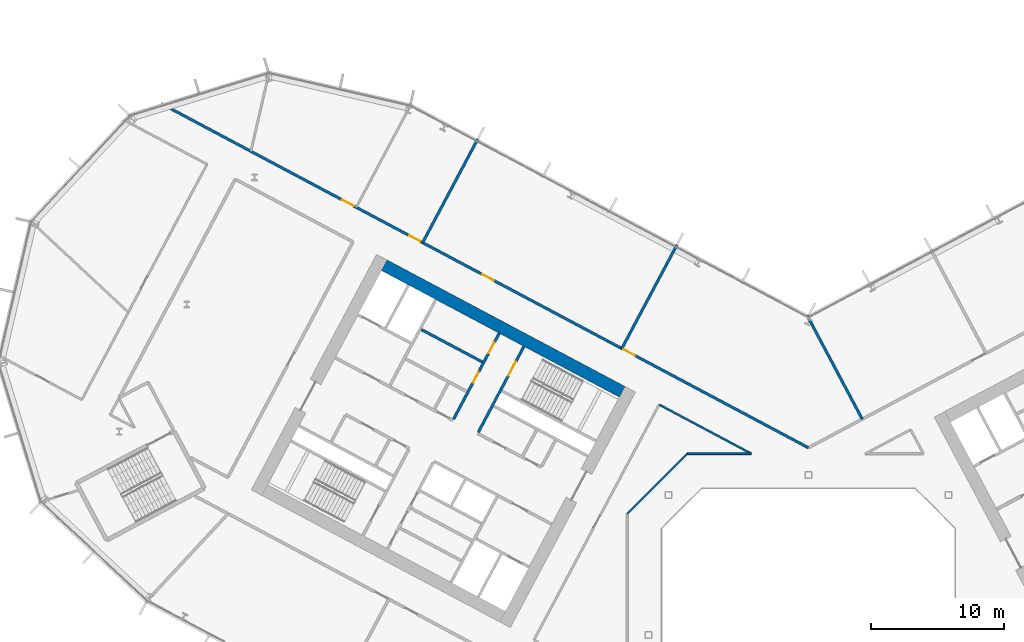
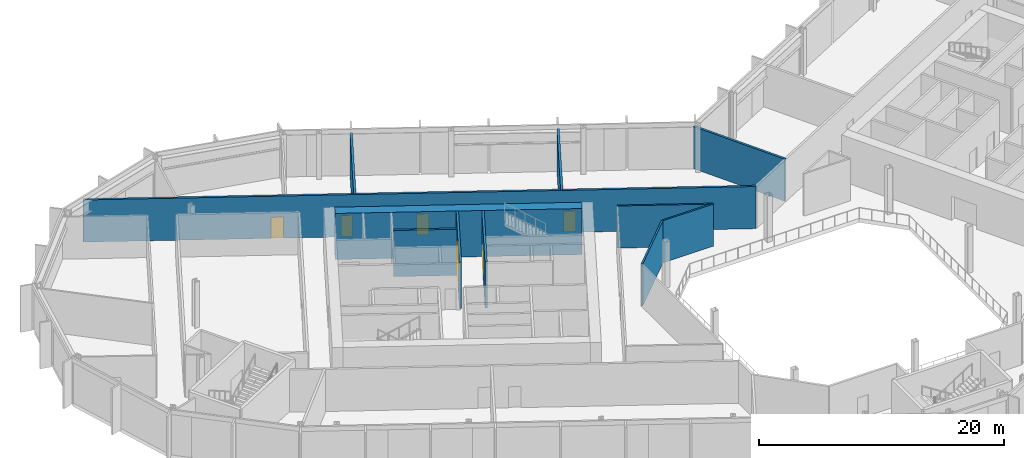
# One storey, part 15 of 32: 11 walls, 7 doors, 7 openings.
"""IFC4 building model written with IfcOpenShell, lengths in metres."""

from ifc_helpers import new_model, si_unit, direction, frame, frame_2d, origin, place, context, subcontext, project, spatial, rectangle, extrude, material, layer, layer_set, type_object, element, fill, save


model = new_model("IFC4")

# Units and contexts
model_context = context("Model", 3, precision=1e-05, world=origin(), true_north=direction((0.0, 1.0)))
body_context = subcontext(model_context, "Body", "Model", "MODEL_VIEW")
ifc_project = project(units=[si_unit("LENGTHUNIT", "METRE"), si_unit("AREAUNIT", "SQUARE_METRE"), si_unit("VOLUMEUNIT", "CUBIC_METRE"), si_unit("PLANEANGLEUNIT", "RADIAN"), si_unit("MASSUNIT", "GRAM", prefix="KILO")], contexts=[model_context])

# Site, building, storey
site_placement = place(None, origin())
site = spatial("IfcSite", under=ifc_project, at=site_placement, CompositionType="ELEMENT")
building_placement = place(site_placement, origin())
building = spatial("IfcBuilding", under=site, at=building_placement, Name="Cormorant Relay Tower", CompositionType="ELEMENT")
storey_placement = place(building_placement, frame((0.0, 0.0, 70.800048828125)))
storey = spatial("IfcBuildingStorey", under=building, at=storey_placement, Name="L13", CompositionType="ELEMENT", Elevation=70.800048828125)

# Wall
ifc_material_1 = material(Name="Concrete 40 MPa", Category="concrete")
ifc_layer_1 = layer(ifc_material_1, 0.199951171875)
ifc_layer_set_1 = layer_set([ifc_layer_1], Name="Core internal wall 200")
wall_type_1 = type_object("IfcWallType", Name="Core internal wall 200", PredefinedType="SOLIDWALL", material=ifc_layer_set_1)
wall_1_placement = place(storey_placement, frame((-24.449462890625, 20.474853515625, 0.0), z_axis=(0.0, 0.0, 1.0), x_axis=(-0.882934506056, 0.469496174655, 0.0)))
element("IfcWall", 1, at=wall_1_placement, inside=storey, type_object=wall_type_1, Name="L13 core A shaft and room wall", PredefinedType="SOLIDWALL", context=body_context, shape_type="SweptSolid", body=[
    extrude(rectangle(XDim=5.199951171875, YDim=0.199951171875, at=frame_2d((2.60009765625, 0.0))), origin(), (0.0, 0.0, 1.0), 4.599853515625),
])

# Wall, opening, door
ifc_material_2 = material(Name="Concrete 50 MPa", Category="concrete")
ifc_layer_2 = layer(ifc_material_2, 0.199951171875)
ifc_layer_set_2 = layer_set([ifc_layer_2], Name="Core shaft wall 200")
wall_type_2 = type_object("IfcWallType", Name="Core shaft wall 200", PredefinedType="SHEAR", material=ifc_layer_set_2)
wall_2_placement = place(storey_placement, frame((-21.333251953125, 21.6494140625, 0.0), z_axis=(0.0, 0.0, 1.0), x_axis=(-0.469494272526, -0.882935517501, 0.0)))
wall_2 = element("IfcWall", 2, at=wall_2_placement, inside=storey, type_object=wall_type_2, Name="L13 core A shaft wall", PredefinedType="SHEAR", context=body_context, shape_type="SweptSolid", body=[
    extrude(rectangle(XDim=7.2998046875, YDim=0.199951171875, at=frame_2d((3.64990234375, 0.0))), origin(), (0.0, 0.0, 1.0), 4.599853515625),
])
opening_1_placement = place(wall_2_placement, frame((1.300048828125, 0.0, 0.0)))
opening_1 = element("IfcOpeningElement", 3, at=opening_1_placement, cuts=wall_2, Name="Opening CDB-024", PredefinedType="OPENING", context=body_context, shape_type="SweptSolid", body=[
    extrude(rectangle(XDim=1.199951171875, YDim=2.10009765625, at=frame_2d((0.60009765625, 1.050048828125))), frame((0.0, 0.10986328125, 0.0), z_axis=(0.0, -1.0, 0.0), x_axis=(1.0, 0.0, 0.0)), (0.0, 0.0, 1.0), 0.219970703125),
])
ifc_material_3 = material(Name="Steel fire door", Category="steel")
door_type_1 = type_object("IfcDoorType", Name="Core stair door 1200x2100", OperationType="SINGLE_SWING_LEFT", PredefinedType="DOOR", material=ifc_material_3)
door_1_placement = place(opening_1_placement, origin())
door_1 = element("IfcDoor", 4, at=door_1_placement, inside=storey, type_object=door_type_1, Name="Core stair door 1200x2100", OperationType="SINGLE_SWING_RIGHT", OverallHeight=2.10009765625, OverallWidth=1.199951171875, PredefinedType="DOOR", context=body_context, shape_type="SweptSolid", body=[
    extrude(rectangle(XDim=1.199951171875, YDim=2.10009765625, at=frame_2d((0.60009765625, 1.050048828125))), frame((0.0, 0.02490234375, 0.0), z_axis=(0.0, -1.0, 0.0), x_axis=(1.0, 0.0, 0.0)), (0.0, 0.0, 1.0), 0.050048828125),
])
fill(opening_1, door_1)

# Wall, openings, doors
wall_3_placement = place(storey_placement, frame((-23.1875, 22.635498046875, 0.0), z_axis=(0.0, 0.0, 1.0), x_axis=(-0.469454336211, -0.882956752176, 0.0)))
wall_3 = element("IfcWall", 5, at=wall_3_placement, inside=storey, type_object=wall_type_2, Name="L13 core A shaft wall", PredefinedType="SHEAR", context=body_context, shape_type="SweptSolid", body=[
    extrude(rectangle(XDim=7.300048828125, YDim=0.199951171875, at=frame_2d((3.64990234375, 0.0))), origin(), (0.0, 0.0, 1.0), 4.599853515625),
])
opening_2_placement = place(wall_3_placement, frame((0.800048828125, 0.0, 0.0)))
opening_2 = element("IfcOpeningElement", 6, at=opening_2_placement, cuts=wall_3, Name="Opening CDD-117", PredefinedType="OPENING", context=body_context, shape_type="SweptSolid", body=[
    extrude(rectangle(XDim=0.89990234375, YDim=2.10009765625, at=frame_2d((0.449951171875, 1.050048828125))), frame((0.0, 0.10986328125, 0.0), z_axis=(0.0, -1.0, 0.0), x_axis=(1.0, 0.0, 0.0)), (0.0, 0.0, 1.0), 0.219970703125),
])
opening_3_placement = place(wall_3_placement, frame((3.300048828125, 0.0, 0.0)))
opening_3 = element("IfcOpeningElement", 7, at=opening_3_placement, cuts=wall_3, Name="Opening CDD-118", PredefinedType="OPENING", context=body_context, shape_type="SweptSolid", body=[
    extrude(rectangle(XDim=0.89990234375, YDim=2.10009765625, at=frame_2d((0.449951171875, 1.050048828125))), frame((0.0, 0.10986328125, 0.0), z_axis=(0.0, -1.0, 0.0), x_axis=(1.0, 0.0, 0.0)), (0.0, 0.0, 1.0), 0.219970703125),
])
ifc_material_4 = material(Name="Steel fire door", Category="steel")
door_type_2 = type_object("IfcDoorType", Name="Core room door 900x2100", OperationType="SINGLE_SWING_LEFT", PredefinedType="DOOR", material=ifc_material_4)
door_2_placement = place(opening_2_placement, origin())
door_2 = element("IfcDoor", 8, at=door_2_placement, inside=storey, type_object=door_type_2, Name="Core room door 900x2100", OperationType="SINGLE_SWING_LEFT", OverallHeight=2.10009765625, OverallWidth=0.89990234375, PredefinedType="DOOR", context=body_context, shape_type="SweptSolid", body=[
    extrude(rectangle(XDim=0.89990234375, YDim=2.10009765625, at=frame_2d((0.449951171875, 1.050048828125))), frame((0.0, 0.02490234375, 0.0), z_axis=(0.0, -1.0, 0.0), x_axis=(1.0, 0.0, 0.0)), (0.0, 0.0, 1.0), 0.050048828125),
])
fill(opening_2, door_2)
door_3_placement = place(opening_3_placement, origin())
door_3 = element("IfcDoor", 9, at=door_3_placement, inside=storey, type_object=door_type_2, Name="Core room door 900x2100", OperationType="SINGLE_SWING_LEFT", OverallHeight=2.10009765625, OverallWidth=0.89990234375, PredefinedType="DOOR", context=body_context, shape_type="SweptSolid", body=[
    extrude(rectangle(XDim=0.89990234375, YDim=2.10009765625, at=frame_2d((0.449951171875, 1.050048828125))), frame((0.0, 0.02490234375, 0.0), z_axis=(0.0, -1.0, 0.0), x_axis=(1.0, 0.0, 0.0)), (0.0, 0.0, 1.0), 0.050048828125),
])
fill(opening_3, door_3)

# Wall
ifc_material_5 = material(Name="Concrete 70 MPa", Category="concrete")
ifc_layer_3 = layer(ifc_material_5, 0.89990234375)
ifc_layer_set_3 = layer_set([ifc_layer_3], Name="Core wall 900")
wall_type_3 = type_object("IfcWallType", Name="Core wall 900", PredefinedType="SHEAR", material=ifc_layer_set_3)
wall_4_placement = place(storey_placement, frame((-13.97021484375, 18.244140625, 0.0), z_axis=(0.0, 0.0, 1.0), x_axis=(-0.88294509198, 0.469476266226, 0.0)))
element("IfcWall", 10, at=wall_4_placement, inside=storey, type_object=wall_type_3, Name="L13 core A wall", PredefinedType="SHEAR", context=body_context, shape_type="SweptSolid", body=[
    extrude(rectangle(XDim=20.199951171875, YDim=0.89990234375, at=frame_2d((10.10009765625, 0.0))), origin(), (0.0, 0.0, 1.0), 4.599853515625),
])

# Wall, openings, doors
ifc_material_6 = material(Name="Fire-rated gypsum board partition")
ifc_layer_4 = layer(ifc_material_6, 0.199951171875)
ifc_layer_set_4 = layer_set([ifc_layer_4], Name="Fire-rated gypsum partition 200")
wall_type_4 = type_object("IfcWallType", Name="Fire-rated gypsum partition 200", PredefinedType="PARTITIONING", material=ifc_layer_set_4)
wall_5_placement = place(storey_placement, frame((-48.541015625, 39.85400390625, 0.0), z_axis=(0.0, 0.0, 1.0), x_axis=(0.882945008423, -0.469476423372, 0.0)))
wall_5 = element("IfcWall", 11, at=wall_5_placement, inside=storey, type_object=wall_type_4, Name="wall/L13/part/8", PredefinedType="PARTITIONING", context=body_context, shape_type="SweptSolid", body=[
    extrude(rectangle(XDim=54.976318359375, YDim=0.199951171875, at=frame_2d((27.48828125, 0.0))), origin(), (0.0, 0.0, 1.0), 4.199951171875),
])
opening_4_placement = place(wall_5_placement, frame((39.264892578125, 0.0, 0.0)))
opening_4 = element("IfcOpeningElement", 12, at=opening_4_placement, cuts=wall_5, Name="Opening FD1-090", PredefinedType="OPENING", context=body_context, shape_type="SweptSolid", body=[
    extrude(rectangle(XDim=1.0, YDim=2.10009765625, at=frame_2d((0.5, 1.050048828125))), frame((0.0, 0.10986328125, 0.0), z_axis=(0.0, -1.0, 0.0), x_axis=(1.0, 0.0, 0.0)), (0.0, 0.0, 1.0), 0.219970703125),
])
opening_5_placement = place(wall_5_placement, frame((27.264892578125, 0.0, 0.0)))
opening_5 = element("IfcOpeningElement", 13, at=opening_5_placement, cuts=wall_5, Name="Opening FD1-091", PredefinedType="OPENING", context=body_context, shape_type="SweptSolid", body=[
    extrude(rectangle(XDim=1.0, YDim=2.10009765625, at=frame_2d((0.5, 1.050048828125))), frame((0.0, 0.10986328125, 0.0), z_axis=(0.0, -1.0, 0.0), x_axis=(1.0, 0.0, 0.0)), (0.0, 0.0, 1.0), 0.219970703125),
])
opening_6_placement = place(wall_5_placement, frame((21.06494140625, 0.0, 0.0)))
opening_6 = element("IfcOpeningElement", 14, at=opening_6_placement, cuts=wall_5, Name="Opening D2-011", PredefinedType="OPENING", context=body_context, shape_type="SweptSolid", body=[
    extrude(rectangle(XDim=0.949951171875, YDim=2.10009765625, at=frame_2d((0.47509765625, 1.050048828125))), frame((0.0, 0.10986328125, 0.0), z_axis=(0.0, -1.0, 0.0), x_axis=(1.0, 0.0, 0.0)), (0.0, 0.0, 1.0), 0.219970703125),
])
opening_7_placement = place(wall_5_placement, frame((15.364990234375, 0.0, 0.0)))
opening_7 = element("IfcOpeningElement", 15, at=opening_7_placement, cuts=wall_5, Name="Opening FD1-075", PredefinedType="OPENING", context=body_context, shape_type="SweptSolid", body=[
    extrude(rectangle(XDim=1.0, YDim=2.10009765625, at=frame_2d((0.5, 1.050048828125))), frame((0.0, 0.10986328125, 0.0), z_axis=(0.0, -1.0, 0.0), x_axis=(1.0, 0.0, 0.0)), (0.0, 0.0, 1.0), 0.219970703125),
])
ifc_material_7 = material(Name="Fire-rated steel door", Category="steel")
door_type_3 = type_object("IfcDoorType", Name="Fire door 1000 x 2100", OperationType="SINGLE_SWING_LEFT", PredefinedType="DOOR", material=ifc_material_7)
door_4_placement = place(opening_4_placement, origin())
door_4 = element("IfcDoor", 16, at=door_4_placement, inside=storey, type_object=door_type_3, Name="door/L13/8", OperationType="SINGLE_SWING_LEFT", OverallHeight=2.10009765625, OverallWidth=1.0, PredefinedType="DOOR", context=body_context, shape_type="SweptSolid", body=[
    extrude(rectangle(XDim=1.0, YDim=2.10009765625, at=frame_2d((0.5, 1.050048828125))), frame((0.0, 0.02490234375, 0.0), z_axis=(0.0, -1.0, 0.0), x_axis=(1.0, 0.0, 0.0)), (0.0, 0.0, 1.0), 0.050048828125),
])
fill(opening_4, door_4)
door_5_placement = place(opening_5_placement, origin())
door_5 = element("IfcDoor", 17, at=door_5_placement, inside=storey, type_object=door_type_3, Name="door/L13/9", OperationType="SINGLE_SWING_RIGHT", OverallHeight=2.10009765625, OverallWidth=1.0, PredefinedType="DOOR", context=body_context, shape_type="SweptSolid", body=[
    extrude(rectangle(XDim=1.0, YDim=2.10009765625, at=frame_2d((0.5, 1.050048828125))), frame((0.0, 0.02490234375, 0.0), z_axis=(0.0, -1.0, 0.0), x_axis=(1.0, 0.0, 0.0)), (0.0, 0.0, 1.0), 0.050048828125),
])
fill(opening_5, door_5)
door_6_placement = place(opening_7_placement, origin())
door_6 = element("IfcDoor", 18, at=door_6_placement, inside=storey, type_object=door_type_3, Name="door/L13/11", OperationType="SINGLE_SWING_RIGHT", OverallHeight=2.10009765625, OverallWidth=1.0, PredefinedType="DOOR", context=body_context, shape_type="SweptSolid", body=[
    extrude(rectangle(XDim=1.0, YDim=2.10009765625, at=frame_2d((0.5, 1.050048828125))), frame((0.0, 0.02490234375, 0.0), z_axis=(0.0, -1.0, 0.0), x_axis=(1.0, 0.0, 0.0)), (0.0, 0.0, 1.0), 0.050048828125),
])
fill(opening_7, door_6)
ifc_material_8 = material(Name="Timber door", Category="wood")
door_type_4 = type_object("IfcDoorType", Name="Toilet door 950 x 2100", OperationType="SINGLE_SWING_LEFT", PredefinedType="DOOR", material=ifc_material_8)
door_7_placement = place(opening_6_placement, origin())
door_7 = element("IfcDoor", 19, at=door_7_placement, inside=storey, type_object=door_type_4, Name="door/L13/10", OperationType="SINGLE_SWING_RIGHT", OverallHeight=2.10009765625, OverallWidth=0.949951171875, PredefinedType="DOOR", context=body_context, shape_type="SweptSolid", body=[
    extrude(rectangle(XDim=0.949951171875, YDim=2.10009765625, at=frame_2d((0.47509765625, 1.050048828125))), frame((0.0, 0.02490234375, 0.0), z_axis=(0.0, -1.0, 0.0), x_axis=(1.0, 0.0, 0.0)), (0.0, 0.0, 1.0), 0.050048828125),
])
fill(opening_6, door_7)

# Walls
wall_6_placement = place(storey_placement, frame((-24.800048828125, 37.197021484375, 0.0), z_axis=(0.0, 0.0, 1.0), x_axis=(-0.469510830369, -0.882926712794, 0.0)))
element("IfcWall", 20, at=wall_6_placement, inside=storey, type_object=wall_type_4, Name="wall/L13/part/21", PredefinedType="PARTITIONING", context=body_context, shape_type="SweptSolid", body=[
    extrude(rectangle(XDim=8.80029296875, YDim=0.199951171875, at=frame_2d((4.400146484375, 0.0))), origin(), (0.0, 0.0, 1.0), 4.199951171875),
])
wall_7_placement = place(storey_placement, frame((-9.864013671875, 29.2548828125, 0.0), z_axis=(0.0, 0.0, 1.0), x_axis=(-0.469457446168, -0.882955098653, 0.0)))
element("IfcWall", 21, at=wall_7_placement, inside=storey, type_object=wall_type_4, Name="wall/L13/part/22", PredefinedType="PARTITIONING", context=body_context, shape_type="SweptSolid", body=[
    extrude(rectangle(XDim=8.7998046875, YDim=0.199951171875, at=frame_2d((4.39990234375, 0.0))), origin(), (0.0, 0.0, 1.0), 4.199951171875),
])
wall_8_placement = place(storey_placement, frame((-0.10498046875, 23.98388671875, 0.0), z_axis=(0.0, 0.0, 1.0), x_axis=(0.469424872141, -0.882972417132, 0.0)))
element("IfcWall", 22, at=wall_8_placement, inside=storey, type_object=wall_type_4, Name="wall/L13/part/24", PredefinedType="PARTITIONING", context=body_context, shape_type="SweptSolid", body=[
    extrude(rectangle(XDim=8.825927734375, YDim=0.199951171875, at=frame_2d((4.4130859375, 0.0))), origin(), (0.0, 0.0, 1.0), 4.199951171875),
])
ifc_material_9 = material(Name="Gypsum board partition")
ifc_layer_5 = layer(ifc_material_9, 0.14990234375)
ifc_layer_set_5 = layer_set([ifc_layer_5], Name="Gypsum board partition 150")
wall_type_5 = type_object("IfcWallType", Name="Gypsum board partition 150", PredefinedType="PARTITIONING", material=ifc_layer_set_5)
wall_9_placement = place(storey_placement, frame((-11.197998046875, 17.280029296875, 0.0), z_axis=(0.0, 0.0, 1.0), x_axis=(0.882946288452, -0.46947401601, 0.0)))
element("IfcWall", 23, at=wall_9_placement, inside=storey, type_object=wall_type_5, Name="wall/L13/part/56", PredefinedType="PARTITIONING", context=body_context, shape_type="SweptSolid", body=[
    extrude(rectangle(XDim=7.83837890625, YDim=0.14990234375, at=frame_2d((3.919189453125, 0.0))), origin(), (0.0, 0.0, 1.0), 4.199951171875),
])
wall_10_placement = place(storey_placement, frame((-4.277099609375, 13.60009765625, 0.0), z_axis=(0.0, 0.0, 1.0), x_axis=(-1.0, 0.0, 0.0)))
element("IfcWall", 24, at=wall_10_placement, inside=storey, type_object=wall_type_5, Name="wall/L13/part/57", PredefinedType="PARTITIONING", context=body_context, shape_type="SweptSolid", body=[
    extrude(rectangle(XDim=4.7998046875, YDim=0.14990234375, at=frame_2d((2.39990234375, 0.0))), origin(), (0.0, 0.0, 1.0), 4.199951171875),
])
wall_11_placement = place(storey_placement, frame((-9.076904296875, 13.60009765625, 0.0), z_axis=(0.0, 0.0, 1.0), x_axis=(-0.707106781187, -0.707106781187, 0.0)))
element("IfcWall", 25, at=wall_11_placement, inside=storey, type_object=wall_type_5, Name="wall/L13/part/58", PredefinedType="PARTITIONING", context=body_context, shape_type="SweptSolid", body=[
    extrude(rectangle(XDim=6.396728515625, YDim=0.14990234375, at=frame_2d((3.1982421875, 0.0))), origin(), (0.0, 0.0, 1.0), 4.199951171875),
])

save(model, "model.ifc")
